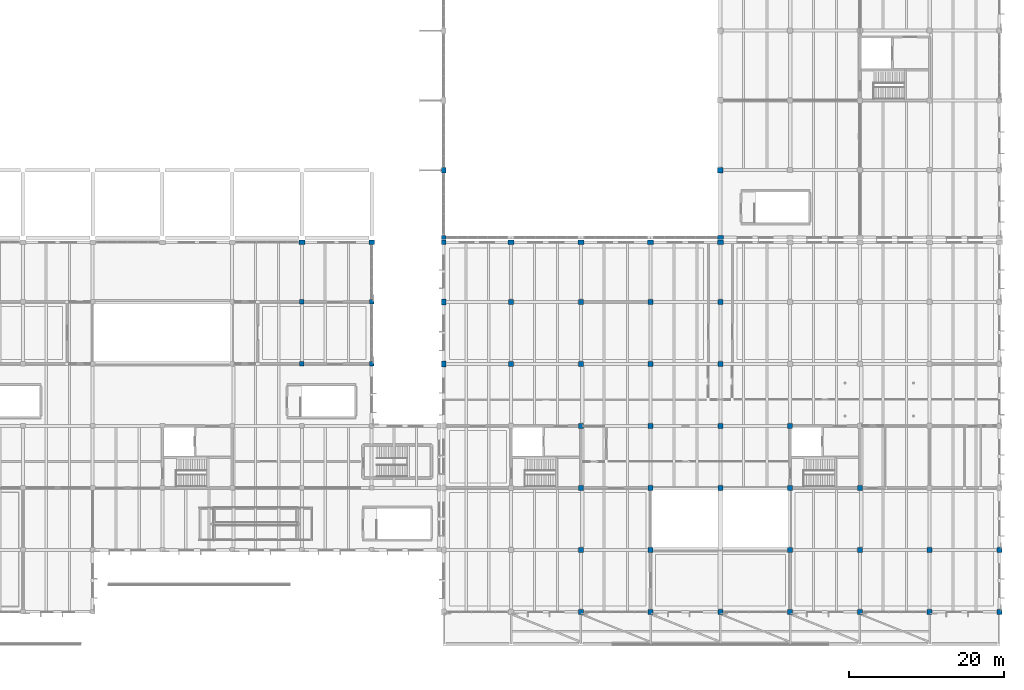
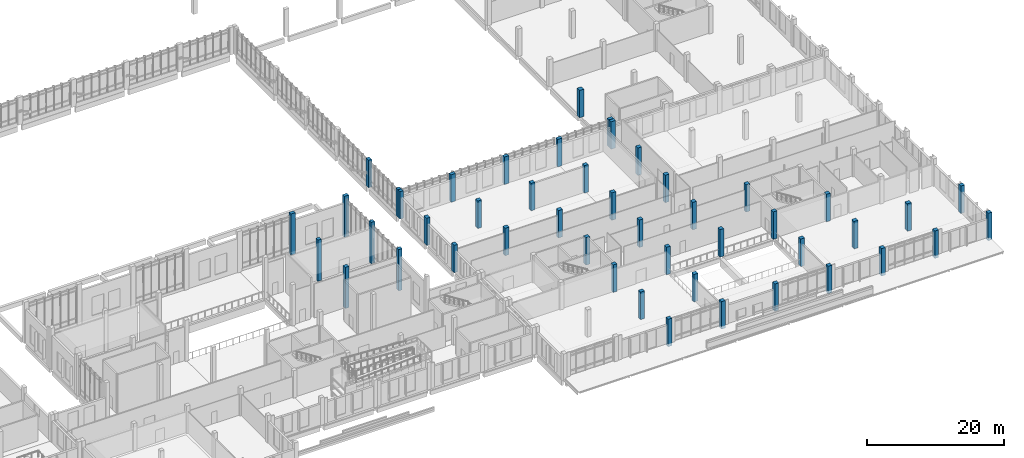
# One storey, part 6 of 110: 47 columns.
"""IFC4 building model written with IfcOpenShell, lengths in metres."""

from ifc_helpers import new_model, si_unit, direction, frame, origin, origin_2d, place, context, subcontext, project, spatial, rectangle, extrude, material, material_profile, profile_set, type_object, element, save


model = new_model("IFC4")

# Units and contexts
model_context = context("Model", 3, precision=1e-05, world=origin(), true_north=direction((0.0, 1.0)))
body_context = subcontext(model_context, "Body", "Model", "MODEL_VIEW")
ifc_project = project(units=[si_unit("LENGTHUNIT", "METRE"), si_unit("AREAUNIT", "SQUARE_METRE"), si_unit("VOLUMEUNIT", "CUBIC_METRE"), si_unit("PLANEANGLEUNIT", "RADIAN"), si_unit("MASSUNIT", "GRAM", prefix="KILO")], contexts=[model_context])

# Site, building, storey
site_placement = place(None, origin())
site = spatial("IfcSite", under=ifc_project, at=site_placement, CompositionType="ELEMENT")
building_placement = place(site_placement, origin())
building = spatial("IfcBuilding", under=site, at=building_placement, Name="Zacnel Wholesale Market", CompositionType="ELEMENT")
storey_placement = place(building_placement, frame((0.0, 0.0, 6.300048828125)))
storey = spatial("IfcBuildingStorey", under=building, at=storey_placement, Name="L02", CompositionType="ELEMENT", Elevation=6.300048828125)

# Columns
ifc_material_1 = material(Name="Precast concrete C45/55", Category="concrete")
ifc_material_profile_1 = material_profile(ifc_material_1, rectangle(XDim=0.550048828125, YDim=0.75, at=origin_2d()), Name="PC 550x750")
ifc_profile_set_1 = profile_set([ifc_material_profile_1], Name="Precast concrete C45/55")
column_type_1 = type_object("IfcColumnType", Name="COL-MJ550X750", PredefinedType="COLUMN", material=ifc_profile_set_1)
for number, where, z_axis, x_axis, name in (
    (1, (144.300048828125, 32.0, 0.0), (0.0, 0.0, 1.0), (1.0, 0.0, 0.0), "Precast column L02-0534"),
    (2, (144.300048828125, 40.0, 0.0), (0.0, 0.0, 1.0), (1.0, 0.0, 0.0), "Precast column L02-0535"),
    (3, (144.300048828125, 57.0, 0.0), (0.0, 0.0, 1.0), (1.0, 0.0, 0.0), "Precast column L02-0538"),
):
    element("IfcColumn", number, at=place(storey_placement, frame(where, z_axis=z_axis, x_axis=x_axis)), inside=storey, type_object=column_type_1, Name=name, PredefinedType="COLUMN", context=body_context, shape_type="SweptSolid", body=[
        extrude(rectangle(XDim=0.550048828125, YDim=0.75, at=origin_2d()), origin(), (0.0, 0.0, 1.0), 4.89990234375),
    ])
ifc_material_2 = material(Name="Precast concrete C45/55", Category="concrete")
ifc_material_profile_2 = material_profile(ifc_material_2, rectangle(XDim=0.75, YDim=0.550048828125, at=origin_2d()), Name="PC 750x550")
ifc_profile_set_2 = profile_set([ifc_material_profile_2], Name="Precast concrete C45/55")
column_type_2 = type_object("IfcColumnType", Name="COL-MJ750X550", PredefinedType="COLUMN", material=ifc_profile_set_2)
for number, where, z_axis, x_axis, name in (
    (4, (126.0, 47.699951171875, 0.0), (0.0, 0.0, 1.0), (1.0, 0.0, 0.0), "Precast column L02-0513"),
    (5, (135.0, 47.699951171875, 0.0), (0.0, 0.0, 1.0), (1.0, 0.0, 0.0), "Precast column L02-0521"),
):
    element("IfcColumn", number, at=place(storey_placement, frame(where, z_axis=z_axis, x_axis=x_axis)), inside=storey, type_object=column_type_2, Name=name, PredefinedType="COLUMN", context=body_context, shape_type="SweptSolid", body=[
        extrude(rectangle(XDim=0.75, YDim=0.550048828125, at=origin_2d()), origin(), (0.0, 0.0, 1.0), 7.349853515625),
    ])
for number, where, z_axis, x_axis, name in (
    (6, (153.0, 47.699951171875, 0.0), (0.0, 0.0, 1.0), (1.0, 0.0, 0.0), "Precast column L02-0552"),
    (7, (162.0, 47.699951171875, 0.0), (0.0, 0.0, 1.0), (1.0, 0.0, 0.0), "Precast column L02-0562"),
    (8, (171.0, 47.699951171875, 0.0), (0.0, 0.0, 1.0), (1.0, 0.0, 0.0), "Precast column L02-0572"),
    (9, (180.0, 47.699951171875, 0.0), (0.0, 0.0, 1.0), (1.0, 0.0, 0.0), "Precast column L02-0581"),
    (10, (180.0, 48.300048828125, 0.0), (0.0, 0.0, 1.0), (1.0, 0.0, 0.0), "Precast column L02-0582"),
):
    element("IfcColumn", number, at=place(storey_placement, frame(where, z_axis=z_axis, x_axis=x_axis)), inside=storey, type_object=column_type_2, Name=name, PredefinedType="COLUMN", context=body_context, shape_type="SweptSolid", body=[
        extrude(rectangle(XDim=0.75, YDim=0.550048828125, at=origin_2d()), origin(), (0.0, 0.0, 1.0), 4.89990234375),
    ])
ifc_material_3 = material(Name="Precast concrete C45/55", Category="concrete")
ifc_material_profile_3 = material_profile(ifc_material_3, rectangle(XDim=0.550048828125, YDim=0.550048828125, at=origin_2d()), Name="PC 550x550")
ifc_profile_set_3 = profile_set([ifc_material_profile_3], Name="Precast concrete C45/55")
column_type_3 = type_object("IfcColumnType", Name="COL-PC550", PredefinedType="COLUMN", material=ifc_profile_set_3)
for number, where, z_axis, x_axis, name in (
    (11, (144.300048828125, 47.699951171875, 0.0), (0.0, 0.0, 1.0), (1.0, 0.0, 0.0), "Precast column L02-0536"),
    (12, (144.300048828125, 48.300048828125, 0.0), (0.0, 0.0, 1.0), (1.0, 0.0, 0.0), "Precast column L02-0537"),
):
    element("IfcColumn", number, at=place(storey_placement, frame(where, z_axis=z_axis, x_axis=x_axis)), inside=storey, type_object=column_type_3, Name=name, PredefinedType="COLUMN", context=body_context, shape_type="SweptSolid", body=[
        extrude(rectangle(XDim=0.550048828125, YDim=0.550048828125, at=origin_2d()), origin(), (0.0, 0.0, 1.0), 4.89990234375),
    ])
ifc_material_4 = material(Name="Precast concrete C45/55", Category="concrete")
ifc_material_profile_4 = material_profile(ifc_material_4, rectangle(XDim=0.60009765625, YDim=0.60009765625, at=origin_2d()), Name="PC 600x600")
ifc_profile_set_4 = profile_set([ifc_material_profile_4], Name="Precast concrete C45/55")
column_type_4 = type_object("IfcColumnType", Name="COL-PC600", PredefinedType="COLUMN", material=ifc_profile_set_4)
for number, where, z_axis, x_axis, name in (
    (13, (126.0, 32.0, 0.0), (0.0, 0.0, 1.0), (1.0, 0.0, 0.0), "Precast column L02-0511"),
    (14, (126.0, 40.0, 0.0), (0.0, 0.0, 1.0), (1.0, 0.0, 0.0), "Precast column L02-0512"),
    (15, (135.0, 32.0, 0.0), (0.0, 0.0, 1.0), (1.0, 0.0, 0.0), "Precast column L02-0519"),
    (16, (135.0, 40.0, 0.0), (0.0, 0.0, 1.0), (1.0, 0.0, 0.0), "Precast column L02-0520"),
):
    element("IfcColumn", number, at=place(storey_placement, frame(where, z_axis=z_axis, x_axis=x_axis)), inside=storey, type_object=column_type_4, Name=name, PredefinedType="COLUMN", context=body_context, shape_type="SweptSolid", body=[
        extrude(rectangle(XDim=0.60009765625, YDim=0.60009765625, at=origin_2d()), origin(), (0.0, 0.0, 1.0), 7.349853515625),
    ])
ifc_material_5 = material(Name="Precast concrete C45/55", Category="concrete")
ifc_material_profile_5 = material_profile(ifc_material_5, rectangle(XDim=0.64990234375, YDim=0.64990234375, at=origin_2d()), Name="PC 650x650")
ifc_profile_set_5 = profile_set([ifc_material_profile_5], Name="Precast concrete C45/55")
column_type_5 = type_object("IfcColumnType", Name="COL-PC650", PredefinedType="COLUMN", material=ifc_profile_set_5)
for number, where, z_axis, x_axis, name in (
    (17, (153.0, 32.0, 0.0), (0.0, 0.0, 1.0), (1.0, 0.0, 0.0), "Precast column L02-0550"),
    (18, (153.0, 40.0, 0.0), (0.0, 0.0, 1.0), (1.0, 0.0, 0.0), "Precast column L02-0551"),
    (19, (162.0, 0.0, 0.0), (0.0, 0.0, 1.0), (1.0, 0.0, 0.0), "Precast column L02-0556"),
    (20, (162.0, 8.0, 0.0), (0.0, 0.0, 1.0), (1.0, 0.0, 0.0), "Precast column L02-0557"),
    (21, (162.0, 16.0, 0.0), (0.0, 0.0, 1.0), (1.0, 0.0, 0.0), "Precast column L02-0558"),
    (22, (162.0, 24.0, 0.0), (0.0, 0.0, 1.0), (1.0, 0.0, 0.0), "Precast column L02-0559"),
    (23, (162.0, 32.0, 0.0), (0.0, 0.0, 1.0), (1.0, 0.0, 0.0), "Precast column L02-0560"),
    (24, (162.0, 40.0, 0.0), (0.0, 0.0, 1.0), (1.0, 0.0, 0.0), "Precast column L02-0561"),
    (25, (171.0, 0.0, 0.0), (0.0, 0.0, 1.0), (1.0, 0.0, 0.0), "Precast column L02-0566"),
    (26, (171.0, 8.0, 0.0), (0.0, 0.0, 1.0), (1.0, 0.0, 0.0), "Precast column L02-0567"),
    (27, (171.0, 16.0, 0.0), (0.0, 0.0, 1.0), (1.0, 0.0, 0.0), "Precast column L02-0568"),
    (28, (171.0, 24.0, 0.0), (0.0, 0.0, 1.0), (1.0, 0.0, 0.0), "Precast column L02-0569"),
    (29, (171.0, 32.0, 0.0), (0.0, 0.0, 1.0), (1.0, 0.0, 0.0), "Precast column L02-0570"),
    (30, (171.0, 40.0, 0.0), (0.0, 0.0, 1.0), (1.0, 0.0, 0.0), "Precast column L02-0571"),
    (31, (180.0, 0.0, 0.0), (0.0, 0.0, 1.0), (1.0, 0.0, 0.0), "Precast column L02-0576"),
    (32, (180.0, 16.0, 0.0), (0.0, 0.0, 1.0), (1.0, 0.0, 0.0), "Precast column L02-0577"),
    (33, (180.0, 24.0, 0.0), (0.0, 0.0, 1.0), (1.0, 0.0, 0.0), "Precast column L02-0578"),
    (34, (180.0, 32.0, 0.0), (0.0, 0.0, 1.0), (1.0, 0.0, 0.0), "Precast column L02-0579"),
    (35, (180.0, 40.0, 0.0), (0.0, 0.0, 1.0), (1.0, 0.0, 0.0), "Precast column L02-0580"),
    (36, (189.0, 0.0, 0.0), (0.0, 0.0, 1.0), (1.0, 0.0, 0.0), "Precast column L02-0591"),
    (37, (189.0, 8.0, 0.0), (0.0, 0.0, 1.0), (1.0, 0.0, 0.0), "Precast column L02-0592"),
    (38, (189.0, 16.0, 0.0), (0.0, 0.0, 1.0), (1.0, 0.0, 0.0), "Precast column L02-0593"),
    (39, (189.0, 24.0, 0.0), (0.0, 0.0, 1.0), (1.0, 0.0, 0.0), "Precast column L02-0594"),
    (40, (198.0, 0.0, 0.0), (0.0, 0.0, 1.0), (1.0, 0.0, 0.0), "Precast column L02-0607"),
    (41, (198.0, 8.0, 0.0), (0.0, 0.0, 1.0), (1.0, 0.0, 0.0), "Precast column L02-0608"),
    (42, (198.0, 16.0, 0.0), (0.0, 0.0, 1.0), (1.0, 0.0, 0.0), "Precast column L02-0609"),
    (43, (207.0, 0.0, 0.0), (0.0, 0.0, 1.0), (1.0, 0.0, 0.0), "Precast column L02-0620"),
    (44, (207.0, 8.0, 0.0), (0.0, 0.0, 1.0), (1.0, 0.0, 0.0), "Precast column L02-0621"),
    (45, (216.0, 0.0, 0.0), (0.0, 0.0, 1.0), (1.0, 0.0, 0.0), "Precast column L02-0633"),
    (46, (216.0, 8.0, 0.0), (0.0, 0.0, 1.0), (1.0, 0.0, 0.0), "Precast column L02-0634"),
):
    element("IfcColumn", number, at=place(storey_placement, frame(where, z_axis=z_axis, x_axis=x_axis)), inside=storey, type_object=column_type_5, Name=name, PredefinedType="COLUMN", context=body_context, shape_type="SweptSolid", body=[
        extrude(rectangle(XDim=0.64990234375, YDim=0.64990234375, at=origin_2d()), origin(), (0.0, 0.0, 1.0), 4.89990234375),
    ])
ifc_material_6 = material(Name="Precast concrete C45/55", Category="concrete")
ifc_material_profile_6 = material_profile(ifc_material_6, rectangle(XDim=0.699951171875, YDim=0.699951171875, at=origin_2d()), Name="PC 700x700")
ifc_profile_set_6 = profile_set([ifc_material_profile_6], Name="Precast concrete C45/55")
column_type_6 = type_object("IfcColumnType", Name="COL-PC700", PredefinedType="COLUMN", material=ifc_profile_set_6)
column_placement = place(storey_placement, frame((180.0, 57.0, 0.0), z_axis=(0.0, 0.0, 1.0), x_axis=(1.0, 0.0, 0.0)))
element("IfcColumn", 47, at=column_placement, inside=storey, type_object=column_type_6, Name="Precast column L02-0583", PredefinedType="COLUMN", context=body_context, shape_type="SweptSolid", body=[
    extrude(rectangle(XDim=0.699951171875, YDim=0.699951171875, at=origin_2d()), origin(), (0.0, 0.0, 1.0), 4.89990234375),
])

save(model, "model.ifc")
